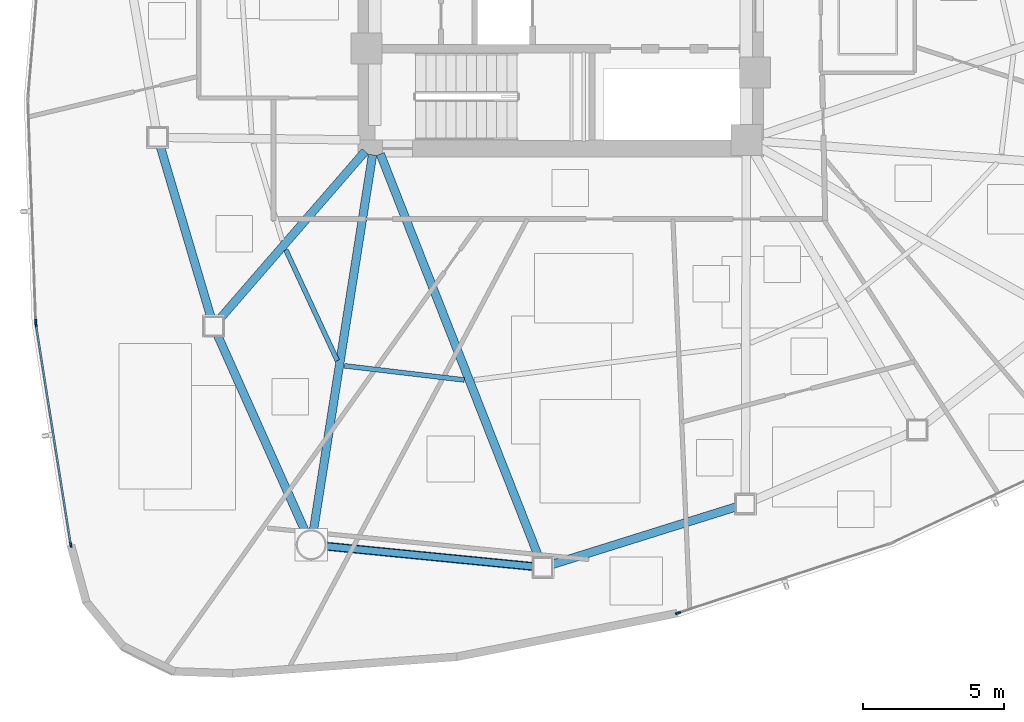
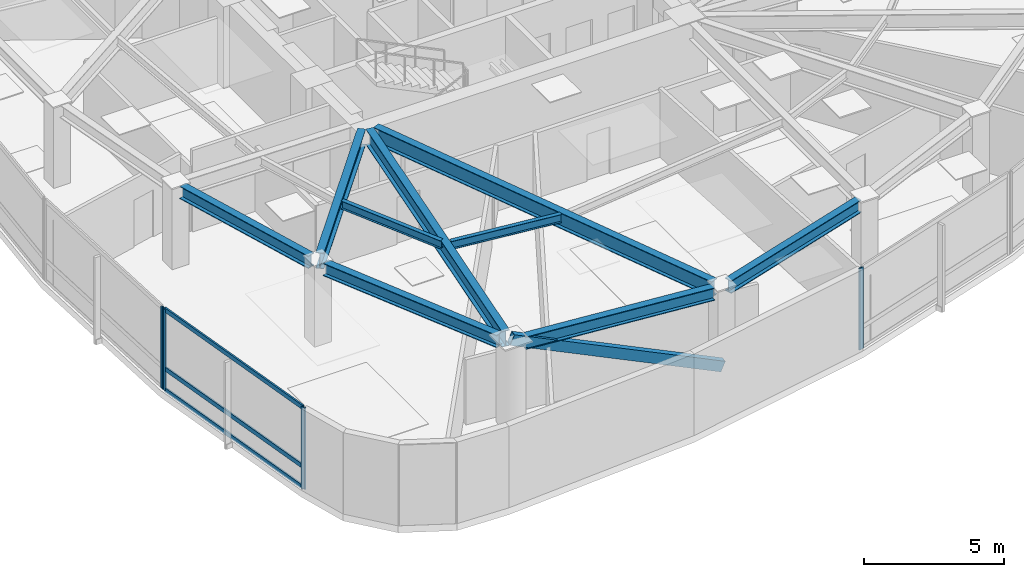
# One storey, part 2 of 17: 9 beams, 8 members, 3 elements without a shape of their own.
"""IFC4 building model written with IfcOpenShell, lengths in metres."""

from ifc_helpers import new_model, si_unit, direction, frame, origin, origin_2d, place, context, subcontext, project, spatial, hollow_rectangle, i_section, extrude, source, transform, mapped, material, layer, layer_set, material_profile, profile_set, type_object, type_shapes, element, aggregate, save


model = new_model("IFC4")

# Units and contexts
model_context = context("Model", 3, precision=1e-05, world=origin(), true_north=direction((0.0, 1.0)))
body_context = subcontext(model_context, "Body", "Model", "MODEL_VIEW")
ifc_project = project(units=[si_unit("LENGTHUNIT", "METRE"), si_unit("AREAUNIT", "SQUARE_METRE"), si_unit("VOLUMEUNIT", "CUBIC_METRE"), si_unit("PLANEANGLEUNIT", "RADIAN"), si_unit("MASSUNIT", "GRAM", prefix="KILO")], contexts=[model_context])

# Site, building, storey
site_placement = place(None, origin())
site = spatial("IfcSite", under=ifc_project, at=site_placement, CompositionType="ELEMENT")
building_placement = place(site_placement, origin())
building = spatial("IfcBuilding", under=site, at=building_placement, Name="Tavelor Broadcast Tower", CompositionType="ELEMENT")
storey_placement = place(building_placement, frame((0.0, 0.0, 123.300048828125)))
storey = spatial("IfcBuildingStorey", under=building, at=storey_placement, Name="L28", CompositionType="ELEMENT", Elevation=123.300048828125)

# Beams
ifc_material_1 = material(Name="Steel S355", Category="steel")
ifc_material_profile_1 = material_profile(ifc_material_1, i_section(OverallWidth=0.169921875, OverallDepth=0.360107421875, WebThickness=0.008056640625, FlangeThickness=0.0126953125, at=origin_2d()), Name="IPE 360")
ifc_profile_set_1 = profile_set([ifc_material_profile_1], Name="Steel S355")
beam_type_1 = type_object("IfcBeamType", Name="Composite Floor Joist T3 IPE 360", PredefinedType="JOIST", material=ifc_profile_set_1)
beam_1_placement = place(storey_placement, frame((40.237548828125, 34.901123046875, 3.369873046875), z_axis=(0.421480014114, -0.906837690936, 0.0), x_axis=(0.906837690936, 0.421480014114, 0.0)))
element("IfcBeam", 1, at=beam_1_placement, inside=storey, type_object=beam_type_1, Name="L28 Secondary Composite Floor Joist 06", PredefinedType="JOIST", context=body_context, shape_type="SweptSolid", body=[
    extrude(i_section(OverallWidth=0.169921875, OverallDepth=0.360107421875, WebThickness=0.008056640625, FlangeThickness=0.0126953125, at=origin_2d()), origin(), (0.0, 0.0, 1.0), 4.337890625),
])
beam_2_placement = place(storey_placement, frame((42.32177734375, 30.781982421875, 3.369873046875), z_axis=(0.993083165759, -0.117413056713, 0.0), x_axis=(0.117413056713, 0.993083165759, 0.0)))
element("IfcBeam", 2, at=beam_2_placement, inside=storey, type_object=beam_type_1, Name="L28 Secondary Composite Floor Joist 07", PredefinedType="JOIST", context=body_context, shape_type="SweptSolid", body=[
    extrude(i_section(OverallWidth=0.169921875, OverallDepth=0.360107421875, WebThickness=0.008056640625, FlangeThickness=0.0126953125, at=origin_2d()), origin(), (0.0, 0.0, 1.0), 4.285400390625),
])
ifc_material_profile_2 = material_profile(ifc_material_1, i_section(OverallWidth=0.300048828125, OverallDepth=0.550048828125, WebThickness=0.014892578125, FlangeThickness=0.029052734375, at=origin_2d()), Name="HEB 550")
ifc_profile_set_2 = profile_set([ifc_material_profile_2], Name="Steel S355")
beam_type_2 = type_object("IfcBeamType", Name="Perimeter Spandrel Beam T3 HEB 550", PredefinedType="SPANDREL", material=ifc_profile_set_2)
beam_3_placement = place(storey_placement, frame((35.7763671875, 38.57763671875, 3.27490234375), z_axis=(0.283996338182, -0.958825364652, 0.0), x_axis=(0.958825364652, 0.283996338182, 0.0)))
element("IfcBeam", 3, at=beam_3_placement, inside=storey, type_object=beam_type_2, Name="L28 Framed-Tube Ring Spandrel 05", PredefinedType="SPANDREL", context=body_context, shape_type="SweptSolid", body=[
    extrude(i_section(OverallWidth=0.300048828125, OverallDepth=0.550048828125, WebThickness=0.014892578125, FlangeThickness=0.029052734375, at=origin_2d()), origin(), (0.0, 0.0, 1.0), 6.325439453125),
])
beam_4_placement = place(storey_placement, frame((37.80517578125, 31.883544921875, 3.27490234375), z_axis=(0.407977377403, -0.912992036946, 0.0), x_axis=(0.912992036946, 0.407977377403, 0.0)))
element("IfcBeam", 4, at=beam_4_placement, inside=storey, type_object=beam_type_2, Name="L28 Framed-Tube Ring Spandrel 06", PredefinedType="SPANDREL", context=body_context, shape_type="SweptSolid", body=[
    extrude(i_section(OverallWidth=0.300048828125, OverallDepth=0.550048828125, WebThickness=0.014892578125, FlangeThickness=0.029052734375, at=origin_2d()), origin(), (0.0, 0.0, 1.0), 7.658447265625),
])
beam_5_placement = place(storey_placement, frame((41.6484375, 24.373779296875, 3.27490234375), z_axis=(0.995250868203, -0.097343255237, 0.0), x_axis=(0.097343255237, 0.995250868203, 0.0)))
element("IfcBeam", 5, at=beam_5_placement, inside=storey, type_object=beam_type_2, Name="L28 Framed-Tube Ring Spandrel 07", PredefinedType="SPANDREL", context=body_context, shape_type="SweptSolid", body=[
    extrude(i_section(OverallWidth=0.300048828125, OverallDepth=0.550048828125, WebThickness=0.014892578125, FlangeThickness=0.029052734375, at=origin_2d()), origin(), (0.0, 0.0, 1.0), 7.418701171875),
])
beam_6_placement = place(storey_placement, frame((49.68701171875, 23.719482421875, 3.27490234375), z_axis=(0.954271632066, 0.29894088418, 0.0), x_axis=(-0.29894088418, 0.954271632066, 0.0)))
element("IfcBeam", 6, at=beam_6_placement, inside=storey, type_object=beam_type_2, Name="L28 Framed-Tube Ring Spandrel 08", PredefinedType="SPANDREL", context=body_context, shape_type="SweptSolid", body=[
    extrude(i_section(OverallWidth=0.300048828125, OverallDepth=0.550048828125, WebThickness=0.014892578125, FlangeThickness=0.029052734375, at=origin_2d()), origin(), (0.0, 0.0, 1.0), 6.867431640625),
])

# Member
ifc_material_profile_3 = material_profile(ifc_material_1, hollow_rectangle(XDim=0.25, YDim=0.449951171875, WallThickness=0.02001953125, at=origin_2d()), Name="RHS 450x250x20")
ifc_profile_set_3 = profile_set([ifc_material_profile_3], Name="Steel S355")
member_type_1 = type_object("IfcMemberType", Name="Perimeter Tube Brace T3 RHS 450x250x20", PredefinedType="BRACE", material=ifc_profile_set_3)
member_1_placement = place(storey_placement, frame((49.366455078125, 23.618896484375, 0.0), z_axis=(-0.914496364203, 0.089466025126, 0.394578547577), x_axis=(-0.097366094377, -0.995248634094, 0.0)))
element("IfcMember", 7, at=member_1_placement, inside=storey, type_object=member_type_1, Name="L28 Corner Tube Diagonal Brace 2", PredefinedType="BRACE", context=body_context, shape_type="SweptSolid", body=[
    extrude(hollow_rectangle(XDim=0.25, YDim=0.449951171875, WallThickness=0.02001953125, at=origin_2d()), origin(), (0.0, 0.0, 1.0), 8.9970703125),
])

# Beams
ifc_material_profile_4 = material_profile(ifc_material_1, i_section(OverallWidth=0.300048828125, OverallDepth=0.68994140625, WebThickness=0.014404296875, FlangeThickness=0.027099609375, at=origin_2d()), Name="HEA 700")
ifc_profile_set_4 = profile_set([ifc_material_profile_4], Name="Steel S355")
beam_type_3 = type_object("IfcBeamType", Name="Radial Floor Girder T3 HEA 700", PredefinedType="BEAM", material=ifc_profile_set_4)
beam_7_placement = place(storey_placement, frame((43.05419921875, 38.401123046875, 3.204833984375), z_axis=(-0.655166261537, -0.755484725024, 0.0), x_axis=(0.755484725024, -0.655166261537, 0.0)))
element("IfcBeam", 8, at=beam_7_placement, inside=storey, type_object=beam_type_3, Name="L28 Radial Primary Floor Girder 06", PredefinedType="BEAM", context=body_context, shape_type="SweptSolid", body=[
    extrude(i_section(OverallWidth=0.300048828125, OverallDepth=0.68994140625, WebThickness=0.014404296875, FlangeThickness=0.027099609375, at=origin_2d()), origin(), (0.0, 0.0, 1.0), 7.885009765625),
])
beam_8_placement = place(storey_placement, frame((43.318115234375, 38.2783203125, 3.204833984375), z_axis=(-0.1553975273, -0.987852017515, 0.0), x_axis=(0.987852017515, -0.1553975273, 0.0)))
element("IfcBeam", 9, at=beam_8_placement, inside=storey, type_object=beam_type_3, Name="L28 Radial Primary Floor Girder 07", PredefinedType="BEAM", context=body_context, shape_type="SweptSolid", body=[
    extrude(i_section(OverallWidth=0.300048828125, OverallDepth=0.68994140625, WebThickness=0.014404296875, FlangeThickness=0.027099609375, at=origin_2d()), origin(), (0.0, 0.0, 1.0), 13.5126953125),
])
beam_9_placement = place(storey_placement, frame((43.593017578125, 38.30859375, 3.204833984375), z_axis=(0.365795149989, -0.930695389612, 0.0), x_axis=(0.930695389612, 0.365795149989, 0.0)))
element("IfcBeam", 10, at=beam_9_placement, inside=storey, type_object=beam_type_3, Name="L28 Radial Primary Floor Girder 08", PredefinedType="BEAM", context=body_context, shape_type="SweptSolid", body=[
    extrude(i_section(OverallWidth=0.300048828125, OverallDepth=0.68994140625, WebThickness=0.014404296875, FlangeThickness=0.027099609375, at=origin_2d()), origin(), (0.0, 0.0, 1.0), 15.447509765625),
])

# Curtain wall, member
ifc_material_2 = material(Name="Architectural Anodized Aluminium", Category="aluminium")
ifc_layer = layer(ifc_material_2, 0.18994140625)
ifc_layer_set = layer_set([ifc_layer], Name="Architectural Anodized Aluminium")
curtain_wall_type = type_object("IfcCurtainWallType", Name="Tower Mid-Zone Acoustic Curtain Wall CW03", PredefinedType="NOTDEFINED", material=ifc_layer_set)
curtain_wall_1_placement = place(storey_placement, origin())
curtain_wall_1 = element("IfcCurtainWall", 11, at=curtain_wall_1_placement, inside=storey, type_object=curtain_wall_type, Name="L28 Curtain Wall CW03 Run 279", PredefinedType="NOTDEFINED")
ifc_material_profile_5 = material_profile(ifc_material_2, hollow_rectangle(XDim=0.068115234375, YDim=0.18994140625, WallThickness=0.02197265625, at=origin_2d()), Name="RHS 68x190x22")
ifc_profile_set_5 = profile_set([ifc_material_profile_5], Name="Architectural Anodized Aluminium")
member_type_2 = type_object("IfcMemberType", Name="CW03 Extruded Aluminium Mullion 68x190", PredefinedType="MULLION", material=ifc_profile_set_5)
shared_shape_1 = source(origin(), body_context, "Body", "SweptSolid", [
    extrude(hollow_rectangle(XDim=0.068115234375, YDim=0.18994140625, WallThickness=0.02197265625, at=origin_2d()), origin(), (0.0, 0.0, 1.0), 3.550048828125),
])
type_shapes(member_type_2, [shared_shape_1])
member_2_placement = place(storey_placement, frame((31.353515625, 32.33447265625, 0.0), z_axis=(0.0, 0.0, 1.0), x_axis=(0.999374487535, 0.035364299293, 0.0)))
member_2 = element("IfcMember", 12, at=member_2_placement, type_object=member_type_2, Name="CW03 mullion 2", PredefinedType="MULLION", context=body_context, shape_type="MappedRepresentation", body=[
    mapped(shared_shape_1, transform((0.0, 0.0, 0.0), scale=1.0)),
])
aggregate(curtain_wall_1, [member_2])

# Curtain wall, members
curtain_wall_2_placement = place(storey_placement, origin())
curtain_wall_2 = element("IfcCurtainWall", 13, at=curtain_wall_2_placement, inside=storey, type_object=curtain_wall_type, Name="L28 Curtain Wall CW03 Run 280", PredefinedType="NOTDEFINED")
member_3_placement = place(storey_placement, frame((31.36279296875, 32.2373046875, 0.0), z_axis=(0.0, 0.0, 1.0), x_axis=(0.98775462489, 0.156015387087, 0.0)))
member_3 = element("IfcMember", 14, at=member_3_placement, type_object=member_type_2, Name="CW03 mullion 1", PredefinedType="MULLION", context=body_context, shape_type="MappedRepresentation", body=[
    mapped(shared_shape_1, transform((0.0, 0.0, 0.0), scale=1.0)),
])
member_4_placement = place(storey_placement, frame((32.59619140625, 24.42919921875, 0.0), z_axis=(0.0, 0.0, 1.0), x_axis=(0.98775462489, 0.156015387087, 0.0)))
member_4 = element("IfcMember", 15, at=member_4_placement, type_object=member_type_2, Name="CW03 mullion 2", PredefinedType="MULLION", context=body_context, shape_type="MappedRepresentation", body=[
    mapped(shared_shape_1, transform((0.0, 0.0, 0.0), scale=1.0)),
])

# Curtain wall, member
curtain_wall_3_placement = place(storey_placement, origin())
curtain_wall_3 = element("IfcCurtainWall", 16, at=curtain_wall_3_placement, inside=storey, type_object=curtain_wall_type, Name="L28 Curtain Wall CW03 Run 281", PredefinedType="NOTDEFINED")
member_5_placement = place(storey_placement, frame((54.169189453125, 21.998046875, 0.0), z_axis=(0.0, 0.0, 1.0), x_axis=(-0.311086441082, 0.950381621337, 0.0)))
member_5 = element("IfcMember", 17, at=member_5_placement, type_object=member_type_2, Name="CW03 mullion 1", PredefinedType="MULLION", context=body_context, shape_type="MappedRepresentation", body=[
    mapped(shared_shape_1, transform((0.0, 0.0, 0.0), scale=1.0)),
])
aggregate(curtain_wall_3, [member_5])

# Member
ifc_material_profile_6 = material_profile(ifc_material_2, hollow_rectangle(XDim=0.068115234375, YDim=0.18994140625, WallThickness=0.02197265625, at=origin_2d()), Name="RHS 68x190x22")
ifc_profile_set_6 = profile_set([ifc_material_profile_6], Name="Architectural Anodized Aluminium")
member_type_3 = type_object("IfcMemberType", Name="CW03 Extruded Aluminium Transom 68x190", PredefinedType="USERDEFINED", material=ifc_profile_set_6)
shared_shape_2 = source(origin(), body_context, "Body", "SweptSolid", [
    extrude(hollow_rectangle(XDim=0.068115234375, YDim=0.18994140625, WallThickness=0.02197265625, at=origin_2d()), origin(), (0.0, 0.0, 1.0), 7.8369140625),
])
type_shapes(member_type_3, [shared_shape_2])
member_6_placement = place(storey_placement, frame((31.3681640625, 32.20361328125, 0.033935546875), z_axis=(0.15601216483, -0.987755133839, 0.0), x_axis=(0.987755133839, 0.15601216483, 0.0)))
member_6 = element("IfcMember", 18, at=member_6_placement, type_object=member_type_3, Name="CW03 transom 1.1", ObjectType="TRANSOM", PredefinedType="USERDEFINED", context=body_context, shape_type="MappedRepresentation", body=[
    mapped(shared_shape_2, transform((0.0, 0.0, 0.0), scale=1.0)),
])

member_7_placement = place(storey_placement, frame((31.3681640625, 32.20361328125, 0.949951171875), z_axis=(0.15601216483, -0.987755133839, 0.0), x_axis=(0.987755133839, 0.15601216483, 0.0)))
member_7 = element("IfcMember", 19, at=member_7_placement, type_object=member_type_3, Name="CW03 transom 1.2", ObjectType="TRANSOM", PredefinedType="USERDEFINED", context=body_context, shape_type="MappedRepresentation", body=[
    mapped(shared_shape_2, transform((0.0, 0.0, 0.0), scale=1.0)),
])

member_8_placement = place(storey_placement, frame((31.3681640625, 32.20361328125, 3.515869140625), z_axis=(0.15601216483, -0.987755133839, 0.0), x_axis=(0.987755133839, 0.15601216483, 0.0)))
member_8 = element("IfcMember", 20, at=member_8_placement, type_object=member_type_3, Name="CW03 transom 1.3", ObjectType="TRANSOM", PredefinedType="USERDEFINED", context=body_context, shape_type="MappedRepresentation", body=[
    mapped(shared_shape_2, transform((0.0, 0.0, 0.0), scale=1.0)),
])

aggregate(curtain_wall_2, [member_3, member_4, member_6, member_7, member_8])

save(model, "model.ifc")
